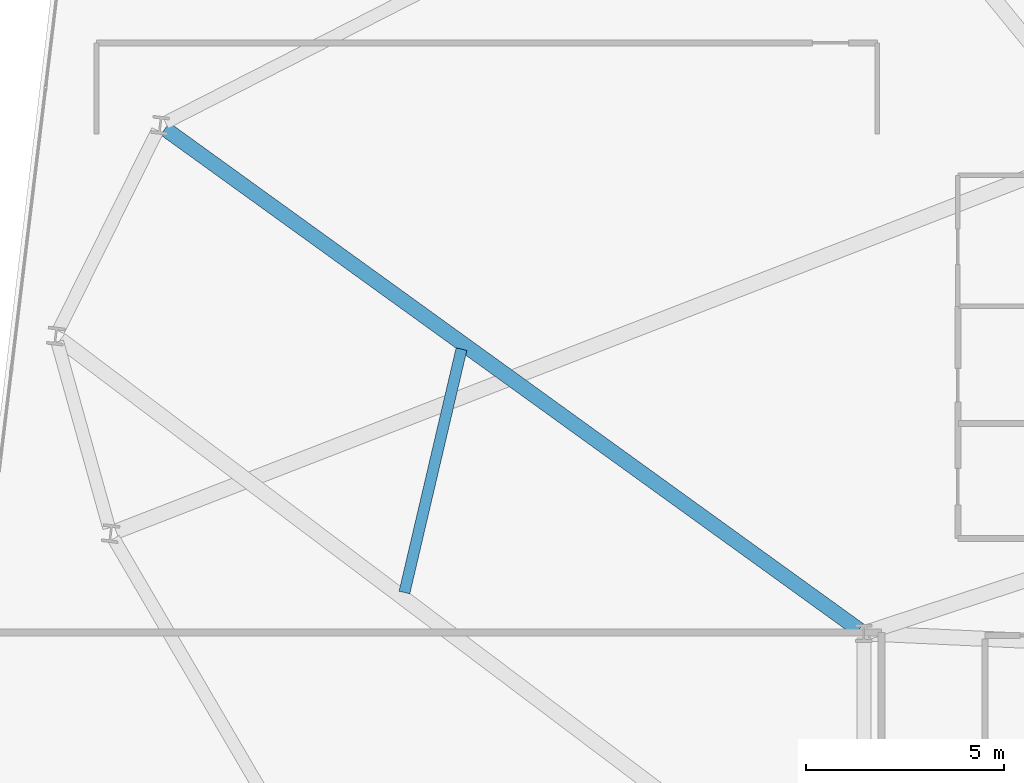
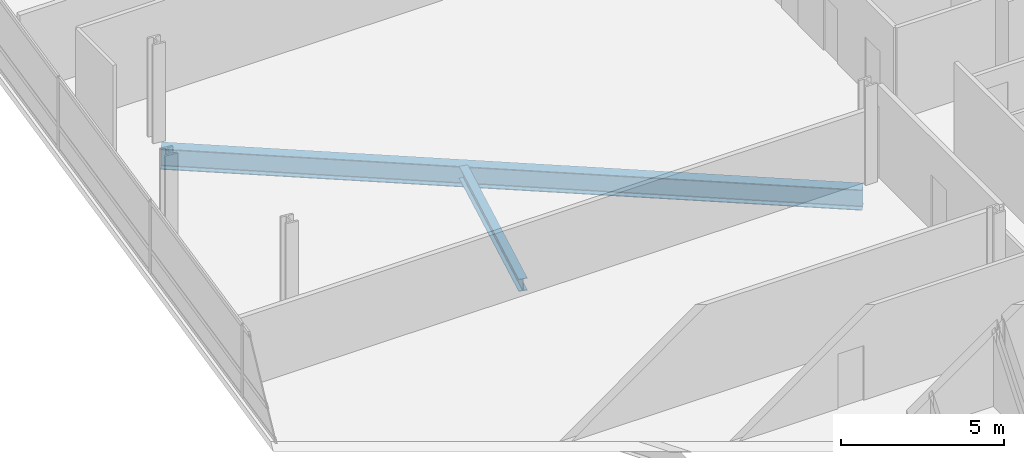
# One storey, part 9 of 26: 2 beams.
"""IFC4 building model written with IfcOpenShell, lengths in metres."""

from ifc_helpers import new_model, si_unit, direction, frame, origin, origin_2d, place, context, subcontext, project, spatial, i_section, extrude, material, material_profile, profile_set, type_object, element, save


model = new_model("IFC4")

# Units and contexts
model_context = context("Model", 3, precision=1e-05, world=origin(), true_north=direction((0.0, 1.0)))
body_context = subcontext(model_context, "Body", "Model", "MODEL_VIEW")
ifc_project = project(units=[si_unit("LENGTHUNIT", "METRE"), si_unit("AREAUNIT", "SQUARE_METRE"), si_unit("VOLUMEUNIT", "CUBIC_METRE"), si_unit("PLANEANGLEUNIT", "RADIAN"), si_unit("MASSUNIT", "GRAM", prefix="KILO")], contexts=[model_context])

# Site, building, storey
site_placement = place(None, origin())
site = spatial("IfcSite", under=ifc_project, at=site_placement, CompositionType="ELEMENT")
building_placement = place(site_placement, origin())
building = spatial("IfcBuilding", under=site, at=building_placement, Name="Varnelok Gate Tower", CompositionType="ELEMENT")
storey_placement = place(building_placement, frame((0.0, 0.0, 155.0)))
storey = spatial("IfcBuildingStorey", under=building, at=storey_placement, Name="L39", CompositionType="ELEMENT", Elevation=155.0)

# Beams
ifc_material = material(Name="Structural Steel ASTM A992 Grade 50", Category="steel")
ifc_material_profile_1 = material_profile(ifc_material, i_section(OverallWidth=0.280029296875, OverallDepth=0.462890625, WebThickness=0.0107421875, FlangeThickness=0.017333984375, FilletRadius=0.014892578125, at=origin_2d()), Name="W18X76")
ifc_profile_set_1 = profile_set([ifc_material_profile_1], Name="Structural Steel ASTM A992 Grade 50")
beam_type_1 = type_object("IfcBeamType", Name="BM-JST-W18X76", PredefinedType="JOIST", material=ifc_profile_set_1)
beam_1_placement = place(storey_placement, frame((14.22607421875, 33.86572265625, -0.4814453125), z_axis=(-0.228186746264, -0.97361738318, 0.0), x_axis=(0.97361738318, -0.228186746264, 0.0)))
element("IfcBeam", 1, at=beam_1_placement, inside=storey, type_object=beam_type_1, Name="L39 Sector Floor Joist 11", PredefinedType="JOIST", context=body_context, shape_type="SweptSolid", body=[
    extrude(i_section(OverallWidth=0.280029296875, OverallDepth=0.462890625, WebThickness=0.0107421875, FlangeThickness=0.017333984375, FilletRadius=0.014892578125, at=origin_2d()), origin(), (0.0, 0.0, 1.0), 6.321044921875),
])
ifc_material_profile_2 = material_profile(ifc_material, i_section(OverallWidth=0.381103515625, OverallDepth=0.77294921875, WebThickness=0.0166015625, FlangeThickness=0.027099609375, FilletRadius=0.02197265625, at=origin_2d()), Name="W30X173")
ifc_profile_set_2 = profile_set([ifc_material_profile_2], Name="Structural Steel ASTM A992 Grade 50")
beam_type_2 = type_object("IfcBeamType", Name="BM-PRI-W30X173", PredefinedType="BEAM", material=ifc_profile_set_2)
beam_2_placement = place(storey_placement, frame((24.2783203125, 26.767822265625, -0.636474609375), z_axis=(-0.810778258155, 0.585353411286, 0.0), x_axis=(-0.585353411286, -0.810778258155, 0.0)))
element("IfcBeam", 2, at=beam_2_placement, inside=storey, type_object=beam_type_2, Name="L39 Radial Floor Girder 14", PredefinedType="BEAM", context=body_context, shape_type="SweptSolid", body=[
    extrude(i_section(OverallWidth=0.381103515625, OverallDepth=0.77294921875, WebThickness=0.0166015625, FlangeThickness=0.027099609375, FilletRadius=0.02197265625, at=origin_2d()), origin(), (0.0, 0.0, 1.0), 21.645263671875),
])

save(model, "model.ifc")
